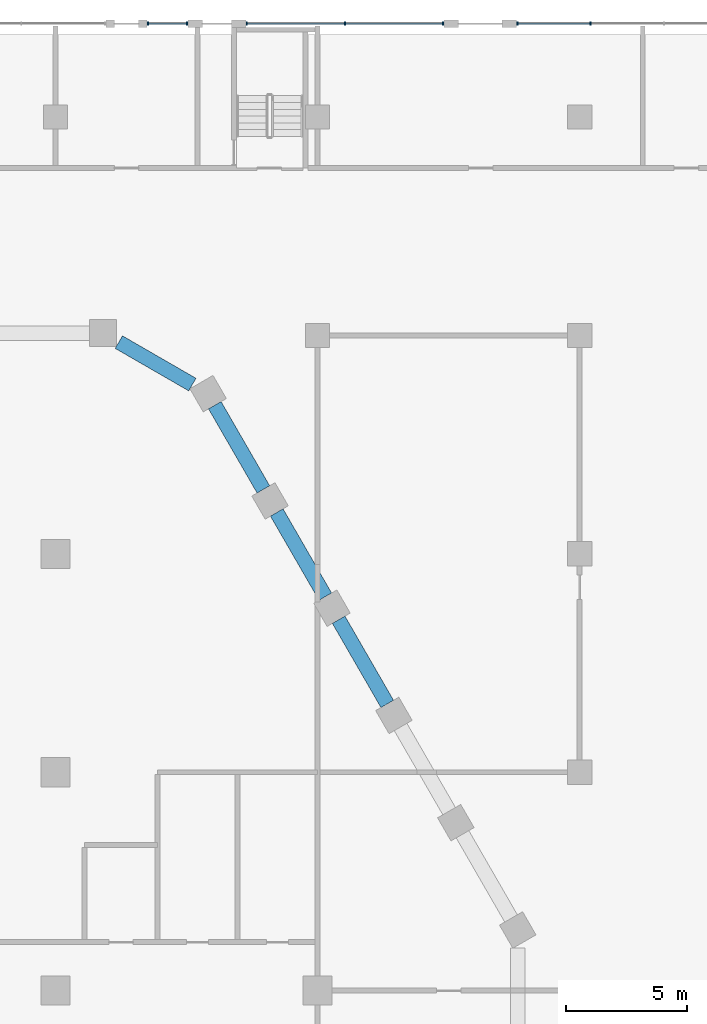
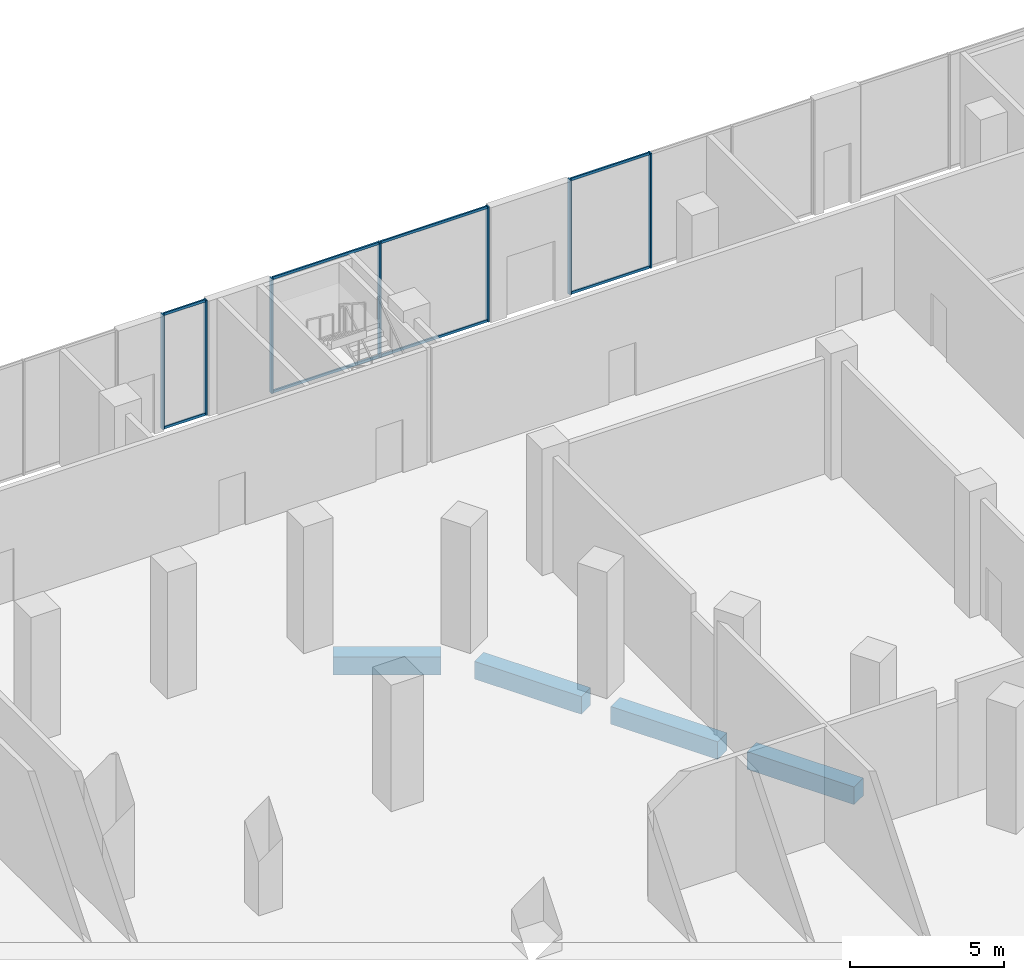
# One storey, part 14 of 57: 15 members, 4 beams, 3 elements without a shape of their own.
"""IFC4 building model written with IfcOpenShell, lengths in metres."""

from ifc_helpers import new_model, si_unit, direction, frame, origin, origin_2d, place, context, subcontext, project, spatial, rectangle, hollow_rectangle, extrude, material, material_profile, profile_set, type_object, element, aggregate, save


model = new_model("IFC4")

# Units and contexts
model_context = context("Model", 3, precision=1e-05, world=origin(), true_north=direction((0.0, 1.0)))
body_context = subcontext(model_context, "Body", "Model", "MODEL_VIEW")
ifc_project = project(units=[si_unit("LENGTHUNIT", "METRE"), si_unit("AREAUNIT", "SQUARE_METRE"), si_unit("VOLUMEUNIT", "CUBIC_METRE"), si_unit("PLANEANGLEUNIT", "RADIAN"), si_unit("MASSUNIT", "GRAM", prefix="KILO")], contexts=[model_context])

# Site, building, storey
site_placement = place(None, origin())
site = spatial("IfcSite", under=ifc_project, at=site_placement, CompositionType="ELEMENT")
building_placement = place(site_placement, origin())
building = spatial("IfcBuilding", under=site, at=building_placement, Name="Beryl Residences", CompositionType="ELEMENT")
storey_placement = place(building_placement, origin())
storey = spatial("IfcBuildingStorey", under=building, at=storey_placement, Name="L00", CompositionType="ELEMENT", Elevation=0.0)

# Curtain wall, members
ifc_material_1 = material(Name="Aluminium and clear glass", Category="aluminium")
curtain_wall_type = type_object("IfcCurtainWallType", Name="CW1 shopfront glazed wall", PredefinedType="NOTDEFINED", material=ifc_material_1)
curtain_wall_1_placement = place(storey_placement, origin())
curtain_wall_1 = element("IfcCurtainWall", 1, at=curtain_wall_1_placement, inside=storey, type_object=curtain_wall_type, Name="CW1 L00 N", PredefinedType="NOTDEFINED")
ifc_material_2 = material(Name="Aluminium", Category="aluminium")
ifc_material_profile_1 = material_profile(ifc_material_2, rectangle(XDim=0.06005859375, YDim=0.14990234375, at=origin_2d()))
ifc_profile_set_1 = profile_set([ifc_material_profile_1], Name="Aluminium")
member_type_1 = type_object("IfcMemberType", Name="CW1-M mullion 60 x 150 mm", PredefinedType="MULLION", material=ifc_profile_set_1)
member_1_placement = place(storey_placement, frame((32.841552734375, 39.85009765625, 0.0), z_axis=(0.0, 0.0, 1.0), x_axis=(-1.0, 0.0, 0.0)))
member_1 = element("IfcMember", 2, at=member_1_placement, type_object=member_type_1, Name="CW1 mullion 3", PredefinedType="MULLION", context=body_context, shape_type="SweptSolid", body=[
    extrude(rectangle(XDim=0.06005859375, YDim=0.14990234375, at=origin_2d()), origin(), (0.0, 0.0, 1.0), 4.550048828125),
])
member_2_placement = place(storey_placement, frame((29.830078125, 39.85009765625, 0.0), z_axis=(0.0, 0.0, 1.0), x_axis=(-1.0, 0.0, 0.0)))
member_2 = element("IfcMember", 3, at=member_2_placement, type_object=member_type_1, Name="CW1 mullion 4", PredefinedType="MULLION", context=body_context, shape_type="SweptSolid", body=[
    extrude(rectangle(XDim=0.06005859375, YDim=0.14990234375, at=origin_2d()), origin(), (0.0, 0.0, 1.0), 4.550048828125),
])

curtain_wall_2_placement = place(storey_placement, origin())
curtain_wall_2 = element("IfcCurtainWall", 4, at=curtain_wall_2_placement, inside=storey, type_object=curtain_wall_type, Name="CW1 L00 N", PredefinedType="NOTDEFINED")
member_3_placement = place(storey_placement, frame((26.77001953125, 39.85009765625, 0.0), z_axis=(0.0, 0.0, 1.0), x_axis=(-1.0, 0.0, 0.0)))
member_3 = element("IfcMember", 5, at=member_3_placement, type_object=member_type_1, Name="CW1 mullion 1", PredefinedType="MULLION", context=body_context, shape_type="SweptSolid", body=[
    extrude(rectangle(XDim=0.06005859375, YDim=0.14990234375, at=origin_2d()), origin(), (0.0, 0.0, 1.0), 4.550048828125),
])
member_4_placement = place(storey_placement, frame((22.72509765625, 39.85009765625, 0.0), z_axis=(0.0, 0.0, 1.0), x_axis=(-1.0, 0.0, 0.0)))
member_4 = element("IfcMember", 6, at=member_4_placement, type_object=member_type_1, Name="CW1 mullion 2", PredefinedType="MULLION", context=body_context, shape_type="SweptSolid", body=[
    extrude(rectangle(XDim=0.06005859375, YDim=0.14990234375, at=origin_2d()), origin(), (0.0, 0.0, 1.0), 4.550048828125),
])
member_5_placement = place(storey_placement, frame((18.679931640625, 39.85009765625, 0.0), z_axis=(0.0, 0.0, 1.0), x_axis=(-1.0, 0.0, 0.0)))
member_5 = element("IfcMember", 7, at=member_5_placement, type_object=member_type_1, Name="CW1 mullion 3", PredefinedType="MULLION", context=body_context, shape_type="SweptSolid", body=[
    extrude(rectangle(XDim=0.06005859375, YDim=0.14990234375, at=origin_2d()), origin(), (0.0, 0.0, 1.0), 4.550048828125),
])

curtain_wall_3_placement = place(storey_placement, origin())
curtain_wall_3 = element("IfcCurtainWall", 8, at=curtain_wall_3_placement, inside=storey, type_object=curtain_wall_type, Name="CW1 L00 N", PredefinedType="NOTDEFINED")
member_6_placement = place(storey_placement, frame((16.219970703125, 39.85009765625, 0.0), z_axis=(0.0, 0.0, 1.0), x_axis=(-1.0, 0.0, 0.0)))
member_6 = element("IfcMember", 9, at=member_6_placement, type_object=member_type_1, Name="CW1 mullion 1", PredefinedType="MULLION", context=body_context, shape_type="SweptSolid", body=[
    extrude(rectangle(XDim=0.06005859375, YDim=0.14990234375, at=origin_2d()), origin(), (0.0, 0.0, 1.0), 4.550048828125),
])
member_7_placement = place(storey_placement, frame((14.60498046875, 39.85009765625, 0.0), z_axis=(0.0, 0.0, 1.0), x_axis=(-1.0, 0.0, 0.0)))
member_7 = element("IfcMember", 10, at=member_7_placement, type_object=member_type_1, Name="CW1 mullion 2", PredefinedType="MULLION", context=body_context, shape_type="SweptSolid", body=[
    extrude(rectangle(XDim=0.06005859375, YDim=0.14990234375, at=origin_2d()), origin(), (0.0, 0.0, 1.0), 4.550048828125),
])

# Member
ifc_material_3 = material(Name="Aluminium", Category="aluminium")
ifc_material_profile_2 = material_profile(ifc_material_3, hollow_rectangle(XDim=0.06005859375, YDim=0.10009765625, WallThickness=0.00390625, at=origin_2d()))
ifc_profile_set_2 = profile_set([ifc_material_profile_2], Name="Aluminium")
member_type_2 = type_object("IfcMemberType", Name="CW1-T transom 60 x 100 mm", PredefinedType="USERDEFINED", material=ifc_profile_set_2)
member_8_placement = place(storey_placement, frame((32.811767578125, 39.85009765625, 0.030029296875), z_axis=(-1.0, 0.0, 0.0), x_axis=(0.0, -1.0, 0.0)))
member_8 = element("IfcMember", 11, at=member_8_placement, type_object=member_type_2, Name="CW1 transom 3.1", ObjectType="TRANSOM", PredefinedType="USERDEFINED", context=body_context, shape_type="SweptSolid", body=[
    extrude(hollow_rectangle(XDim=0.06005859375, YDim=0.10009765625, WallThickness=0.00390625, at=origin_2d()), origin(), (0.0, 0.0, 1.0), 2.95166015625),
])

member_9_placement = place(storey_placement, frame((32.811767578125, 39.85009765625, 4.52001953125), z_axis=(-1.0, 0.0, 0.0), x_axis=(0.0, -1.0, 0.0)))
member_9 = element("IfcMember", 12, at=member_9_placement, type_object=member_type_2, Name="CW1 transom 3.2", ObjectType="TRANSOM", PredefinedType="USERDEFINED", context=body_context, shape_type="SweptSolid", body=[
    extrude(hollow_rectangle(XDim=0.06005859375, YDim=0.10009765625, WallThickness=0.00390625, at=origin_2d()), origin(), (0.0, 0.0, 1.0), 2.95166015625),
])

aggregate(curtain_wall_1, [member_1, member_2, member_8, member_9])

member_10_placement = place(storey_placement, frame((26.739990234375, 39.85009765625, 0.030029296875), z_axis=(-1.0, 0.0, 0.0), x_axis=(0.0, -1.0, 0.0)))
member_10 = element("IfcMember", 13, at=member_10_placement, type_object=member_type_2, Name="CW1 transom 1.1", ObjectType="TRANSOM", PredefinedType="USERDEFINED", context=body_context, shape_type="SweptSolid", body=[
    extrude(hollow_rectangle(XDim=0.06005859375, YDim=0.10009765625, WallThickness=0.00390625, at=origin_2d()), origin(), (0.0, 0.0, 1.0), 3.985107421875),
])

member_11_placement = place(storey_placement, frame((26.739990234375, 39.85009765625, 4.52001953125), z_axis=(-1.0, 0.0, 0.0), x_axis=(0.0, -1.0, 0.0)))
member_11 = element("IfcMember", 14, at=member_11_placement, type_object=member_type_2, Name="CW1 transom 1.2", ObjectType="TRANSOM", PredefinedType="USERDEFINED", context=body_context, shape_type="SweptSolid", body=[
    extrude(hollow_rectangle(XDim=0.06005859375, YDim=0.10009765625, WallThickness=0.00390625, at=origin_2d()), origin(), (0.0, 0.0, 1.0), 3.985107421875),
])

member_12_placement = place(storey_placement, frame((22.695068359375, 39.85009765625, 0.030029296875), z_axis=(-1.0, 0.0, 0.0), x_axis=(0.0, -1.0, 0.0)))
member_12 = element("IfcMember", 15, at=member_12_placement, type_object=member_type_2, Name="CW1 transom 2.1", ObjectType="TRANSOM", PredefinedType="USERDEFINED", context=body_context, shape_type="SweptSolid", body=[
    extrude(hollow_rectangle(XDim=0.06005859375, YDim=0.10009765625, WallThickness=0.00390625, at=origin_2d()), origin(), (0.0, 0.0, 1.0), 3.985107421875),
])

member_13_placement = place(storey_placement, frame((22.695068359375, 39.85009765625, 4.52001953125), z_axis=(-1.0, 0.0, 0.0), x_axis=(0.0, -1.0, 0.0)))
member_13 = element("IfcMember", 16, at=member_13_placement, type_object=member_type_2, Name="CW1 transom 2.2", ObjectType="TRANSOM", PredefinedType="USERDEFINED", context=body_context, shape_type="SweptSolid", body=[
    extrude(hollow_rectangle(XDim=0.06005859375, YDim=0.10009765625, WallThickness=0.00390625, at=origin_2d()), origin(), (0.0, 0.0, 1.0), 3.985107421875),
])

aggregate(curtain_wall_2, [member_3, member_4, member_5, member_10, member_11, member_12, member_13])

member_14_placement = place(storey_placement, frame((16.18994140625, 39.85009765625, 0.030029296875), z_axis=(-1.0, 0.0, 0.0), x_axis=(0.0, -1.0, 0.0)))
member_14 = element("IfcMember", 17, at=member_14_placement, type_object=member_type_2, Name="CW1 transom 1.1", ObjectType="TRANSOM", PredefinedType="USERDEFINED", context=body_context, shape_type="SweptSolid", body=[
    extrude(hollow_rectangle(XDim=0.06005859375, YDim=0.10009765625, WallThickness=0.00390625, at=origin_2d()), origin(), (0.0, 0.0, 1.0), 1.554931640625),
])

member_15_placement = place(storey_placement, frame((16.18994140625, 39.85009765625, 4.52001953125), z_axis=(-1.0, 0.0, 0.0), x_axis=(0.0, -1.0, 0.0)))
member_15 = element("IfcMember", 18, at=member_15_placement, type_object=member_type_2, Name="CW1 transom 1.2", ObjectType="TRANSOM", PredefinedType="USERDEFINED", context=body_context, shape_type="SweptSolid", body=[
    extrude(hollow_rectangle(XDim=0.06005859375, YDim=0.10009765625, WallThickness=0.00390625, at=origin_2d()), origin(), (0.0, 0.0, 1.0), 1.554931640625),
])

aggregate(curtain_wall_3, [member_6, member_7, member_14, member_15])

# Beams
ifc_material_4 = material(Name="Concrete C80/95", Category="concrete")
ifc_material_profile_3 = material_profile(ifc_material_4, rectangle(XDim=0.60009765625, YDim=0.699951171875, at=origin_2d()))
ifc_profile_set_3 = profile_set([ifc_material_profile_3], Name="Concrete C80/95")
beam_type = type_object("IfcBeamType", Name="SB1 spandrel beam 600 x 700 C80/95", PredefinedType="SPANDREL", material=ifc_profile_set_3)
for number, where, z_axis, x_axis, name in (
    (19, (24.469970703125, 11.81689453125, -0.800048828125), (-0.499942357345, 0.866058681229, 0.0), (-0.866058681229, -0.499942357345, 0.0), "SB1 L00 NE-2"),
    (20, (21.91796875, 16.237060546875, -0.800048828125), (-0.499942357345, 0.866058681229, 0.0), (-0.866058681229, -0.499942357345, 0.0), "SB1 L00 NE-3"),
    (21, (19.365966796875, 20.656982421875, -0.800048828125), (-0.499942357345, 0.866058681229, 0.0), (-0.866058681229, -0.499942357345, 0.0), "SB1 L00 NE-4"),
):
    element("IfcBeam", number, at=place(storey_placement, frame(where, z_axis=z_axis, x_axis=x_axis)), inside=storey, type_object=beam_type, Name=name, PredefinedType="SPANDREL", context=body_context, shape_type="SweptSolid", body=[
        extrude(rectangle(XDim=0.60009765625, YDim=0.699951171875, at=origin_2d()), origin(), (0.0, 0.0, 1.0), 4.00439453125),
    ])
beam_placement = place(storey_placement, frame((16.43896484375, 24.97607421875, -0.800048828125), z_axis=(-0.866070549782, 0.499921796684, 0.0), x_axis=(-0.499921796684, -0.866070549782, 0.0)))
element("IfcBeam", 22, at=beam_placement, inside=storey, type_object=beam_type, Name="SB1 L00 NE-5", PredefinedType="SPANDREL", context=body_context, shape_type="SweptSolid", body=[
    extrude(rectangle(XDim=0.60009765625, YDim=0.699951171875, at=origin_2d()), origin(), (0.0, 0.0, 1.0), 3.49853515625),
])

save(model, "model.ifc")
